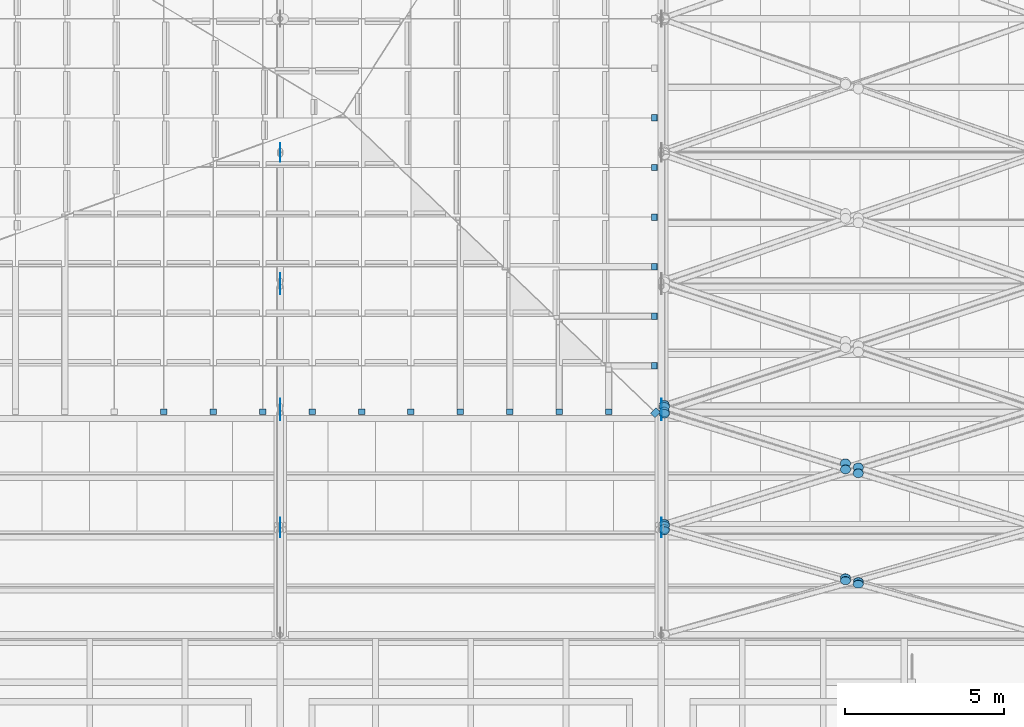
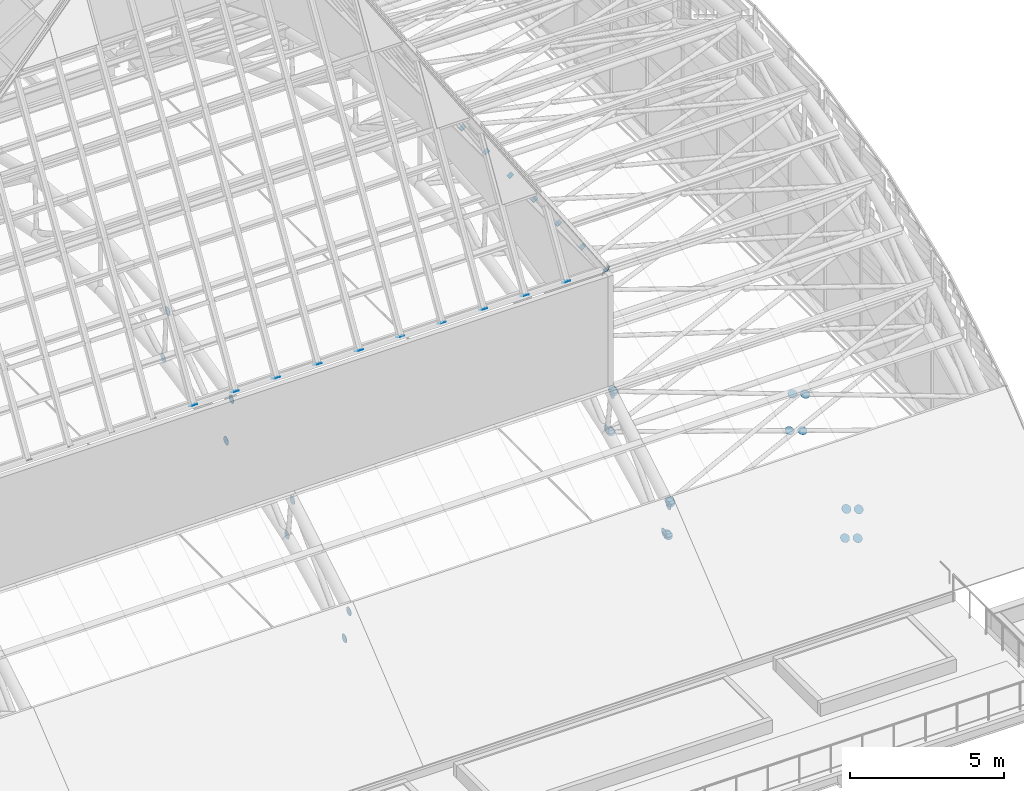
# One storey, part 97 of 110: 49 discrete accessories.
"""IFC4 building model written with IfcOpenShell, lengths in metres."""

from ifc_helpers import new_model, si_unit, direction, frame, origin, origin_2d, place, context, subcontext, project, spatial, rectangle, circle, extrude, material, layer, layer_set, type_object, element, save


model = new_model("IFC4")

# Units and contexts
model_context = context("Model", 3, precision=1e-05, world=origin(), true_north=direction((0.0, 1.0)))
body_context = subcontext(model_context, "Body", "Model", "MODEL_VIEW")
ifc_project = project(units=[si_unit("LENGTHUNIT", "METRE"), si_unit("AREAUNIT", "SQUARE_METRE"), si_unit("VOLUMEUNIT", "CUBIC_METRE"), si_unit("PLANEANGLEUNIT", "RADIAN"), si_unit("MASSUNIT", "GRAM", prefix="KILO")], contexts=[model_context])

# Site, building, storey
site_placement = place(None, origin())
site = spatial("IfcSite", under=ifc_project, at=site_placement, CompositionType="ELEMENT")
building_placement = place(site_placement, origin())
building = spatial("IfcBuilding", under=site, at=building_placement, Name="Windward Yard Aquatics Centre", CompositionType="ELEMENT")
storey_placement = place(building_placement, frame((0.0, 0.0, 22.60009765625)))
storey = spatial("IfcBuildingStorey", under=building, at=storey_placement, Name="L05", CompositionType="ELEMENT", Elevation=22.60009765625)

# Discrete accessories
ifc_material = material(Name="Steel S355", Category="steel")
ifc_layer_1 = layer(ifc_material, 0.010009765625)
ifc_layer_set_1 = layer_set([ifc_layer_1], Name="End cap plate 10 mm RHS203.2x203.2x9.5")
discrete_accessory_type_1 = type_object("IfcDiscreteAccessoryType", Name="End cap plate 10 mm RHS203.2x203.2x9.5", PredefinedType="USERDEFINED", material=ifc_layer_set_1)
for number, where, z_axis, x_axis, name in (
    (1, (124.117431640625, 48.623779296875, 10.8154296875), (0.0, 0.514495755428, 0.857492925713), (-1.0, 0.0, 0.0), "End cap"),
    (2, (131.788330078125, 54.75537109375, 10.813232421875), (-0.532171545218, 0.0, 0.846636549211), (0.0, -1.0, 0.0), "End cap"),
    (3, (131.788330078125, 50.07177734375, 10.813232421875), (-0.532171545218, 0.0, 0.846636549211), (0.0, -1.0, 0.0), "End cap"),
    (4, (128.787109375, 48.623779296875, 10.8154296875), (0.0, 0.514495755428, 0.857492925713), (-1.0, 0.0, 0.0), "End cap"),
    (5, (131.788330078125, 57.877685546875, 10.813232421875), (-0.532171545218, 0.0, 0.846636549211), (0.0, -1.0, 0.0), "End cap"),
    (6, (116.334716796875, 48.623779296875, 10.8154296875), (0.0, 0.514495755428, 0.857492925713), (-1.0, 0.0, 0.0), "End cap"),
    (7, (131.788330078125, 56.31640625, 10.813232421875), (-0.532171545218, 0.0, 0.846636549211), (0.0, -1.0, 0.0), "End cap"),
    (8, (117.891357421875, 48.623779296875, 10.8154296875), (0.0, 0.514495755428, 0.857492925713), (-1.0, 0.0, 0.0), "End cap"),
    (9, (125.673828125, 48.623779296875, 10.8154296875), (0.0, 0.514495755428, 0.857492925713), (-1.0, 0.0, 0.0), "End cap"),
    (10, (122.560791015625, 48.623779296875, 10.8154296875), (0.0, 0.514495755428, 0.857492925713), (-1.0, 0.0, 0.0), "End cap"),
    (11, (119.44775390625, 48.623779296875, 10.8154296875), (0.0, 0.514495755428, 0.857492925713), (-1.0, 0.0, 0.0), "End cap"),
    (12, (130.343505859375, 48.623779296875, 10.8154296875), (0.0, 0.514495755428, 0.857492925713), (-1.0, 0.0, 0.0), "End cap"),
    (13, (131.788330078125, 53.194091796875, 10.813232421875), (-0.532171545218, 0.0, 0.846636549211), (0.0, -1.0, 0.0), "End cap"),
    (14, (131.788330078125, 51.6328125, 10.813232421875), (-0.532171545218, 0.0, 0.846636549211), (0.0, -1.0, 0.0), "End cap"),
    (15, (127.23046875, 48.623779296875, 10.8154296875), (0.0, 0.514495755428, 0.857492925713), (-1.0, 0.0, 0.0), "End cap"),
    (16, (121.00439453125, 48.623779296875, 10.8154296875), (0.0, 0.514495755428, 0.857492925713), (-1.0, 0.0, 0.0), "End cap"),
):
    element("IfcDiscreteAccessory", number, at=place(storey_placement, frame(where, z_axis=z_axis, x_axis=x_axis)), inside=storey, type_object=discrete_accessory_type_1, Name=name, ObjectType="END CAP", PredefinedType="USERDEFINED", context=body_context, shape_type="SweptSolid", body=[
        extrude(rectangle(XDim=0.203125, YDim=0.203125, at=origin_2d()), origin(), (0.0, 0.0, 1.0), 0.010009765625),
    ])
ifc_layer_2 = layer(ifc_material, 0.010009765625)
ifc_layer_set_2 = layer_set([ifc_layer_2], Name="End cap plate 10 mm RHS254x254x15.9")
discrete_accessory_type_2 = type_object("IfcDiscreteAccessoryType", Name="End cap plate 10 mm RHS254x254x15.9", PredefinedType="USERDEFINED", material=ifc_layer_set_2)
discrete_accessory_1_placement = place(storey_placement, frame((131.821533203125, 48.590087890625, 10.785400390625), z_axis=(-0.468315665525, 0.443667472602, 0.764093980593), x_axis=(-0.698912468441, -0.715086235848, -0.013154343714)))
element("IfcDiscreteAccessory", 17, at=discrete_accessory_1_placement, inside=storey, type_object=discrete_accessory_type_2, Name="End cap", ObjectType="END CAP", PredefinedType="USERDEFINED", context=body_context, shape_type="SweptSolid", body=[
    extrude(rectangle(XDim=0.25390625, YDim=0.25390625, at=origin_2d()), origin(), (0.0, 0.0, 1.0), 0.010009765625),
])
ifc_layer_3 = layer(ifc_material, 0.011962890625)
ifc_layer_set_3 = layer_set([ifc_layer_3], Name="Gusset plate 320 mm disc 12 mm")
discrete_accessory_type_3 = type_object("IfcDiscreteAccessoryType", Name="Gusset plate 320 mm disc 12 mm", PredefinedType="USERDEFINED", material=ifc_layer_set_3)
for number, where, z_axis, x_axis, name in (
    (18, (119.993896484375, 44.841064453125, 3.64306640625), (1.0, 0.0, 0.0), (0.0, 1.0, 0.0), "Gusset plate"),
    (19, (119.993896484375, 45.134765625, 2.390869140625), (1.0, 0.0, 0.0), (0.0, 1.0, 0.0), "Gusset plate"),
    (20, (119.993896484375, 48.520263671875, 5.8291015625), (1.0, 0.0, 0.0), (0.0, 1.0, 0.0), "Gusset plate"),
    (21, (119.993896484375, 48.877685546875, 4.23291015625), (1.0, 0.0, 0.0), (0.0, 1.0, 0.0), "Gusset plate"),
    (22, (119.993896484375, 52.48779296875, 7.4306640625), (1.0, 0.0, 0.0), (0.0, 1.0, 0.0), "Gusset plate"),
    (23, (119.993896484375, 52.83056640625, 5.568603515625), (1.0, 0.0, 0.0), (0.0, 1.0, 0.0), "Gusset plate"),
    (24, (119.993896484375, 56.6513671875, 8.41015625), (1.0, 0.0, 0.0), (0.0, 1.0, 0.0), "Gusset plate"),
    (25, (119.993896484375, 56.92529296875, 6.374755859375), (1.0, 0.0, 0.0), (0.0, 1.0, 0.0), "Gusset plate"),
    (26, (131.993896484375, 44.841064453125, 3.64306640625), (1.0, 0.0, 0.0), (0.0, 1.0, 0.0), "Gusset plate"),
    (27, (131.993896484375, 45.134765625, 2.390869140625), (1.0, 0.0, 0.0), (0.0, 1.0, 0.0), "Gusset plate"),
    (28, (131.993896484375, 48.520263671875, 5.8291015625), (1.0, 0.0, 0.0), (0.0, 1.0, 0.0), "Gusset plate"),
    (29, (131.993896484375, 48.877685546875, 4.23291015625), (1.0, 0.0, 0.0), (0.0, 1.0, 0.0), "Gusset plate"),
):
    element("IfcDiscreteAccessory", number, at=place(storey_placement, frame(where, z_axis=z_axis, x_axis=x_axis)), inside=storey, type_object=discrete_accessory_type_3, Name=name, ObjectType="GUSSET PLATE", PredefinedType="USERDEFINED", context=body_context, shape_type="SweptSolid", body=[
        extrude(circle(Radius=0.159912109375, at=origin_2d()), origin(), (0.0, 0.0, 1.0), 0.01220703125),
    ])
for number, where, z_axis, x_axis, name in (
    (30, (132.10009765625, 44.907470703125, 3.7119140625), (0.0, 0.0, 1.0), (1.0, 0.0, 0.0), "Gusset plate"),
    (31, (132.10009765625, 48.59033203125, 5.89453125), (0.0, 0.0, 1.0), (1.0, 0.0, 0.0), "Gusset plate"),
):
    element("IfcDiscreteAccessory", number, at=place(storey_placement, frame(where, z_axis=z_axis, x_axis=x_axis)), inside=storey, type_object=discrete_accessory_type_3, Name=name, ObjectType="GUSSET PLATE", PredefinedType="USERDEFINED", context=body_context, shape_type="SweptSolid", body=[
        extrude(circle(Radius=0.159912109375, at=origin_2d()), origin(), (0.0, 0.0, 1.0), 0.011962890625),
    ])
discrete_accessory_2_placement = place(storey_placement, frame((132.09423828125, 44.877685546875, 3.701171875), z_axis=(0.0, 0.644135745783, -0.764911198117), x_axis=(-1.0, 0.0, 0.0)))
element("IfcDiscreteAccessory", 32, at=discrete_accessory_2_placement, inside=storey, type_object=discrete_accessory_type_3, Name="Gusset plate", ObjectType="GUSSET PLATE", PredefinedType="USERDEFINED", context=body_context, shape_type="SweptSolid", body=[
    extrude(circle(Radius=0.159912109375, at=origin_2d()), origin(), (0.0, 0.0, 1.0), 0.01220703125),
])
discrete_accessory_3_placement = place(storey_placement, frame((137.79931640625, 43.30517578125, 2.408935546875), z_axis=(0.0, 0.632126727472, -0.774865020772), x_axis=(-1.0, 0.0, 0.0)))
element("IfcDiscreteAccessory", 33, at=discrete_accessory_3_placement, inside=storey, type_object=discrete_accessory_type_3, Name="Gusset plate", ObjectType="GUSSET PLATE", PredefinedType="USERDEFINED", context=body_context, shape_type="SweptSolid", body=[
    extrude(circle(Radius=0.159912109375, at=origin_2d()), origin(), (0.0, 0.0, 1.0), 0.011962890625),
])
for number, where, z_axis, x_axis, name in (
    (34, (138.20068359375, 43.194580078125, 2.318115234375), (0.0, 0.644135745783, -0.764911198117), (-1.0, 0.0, 0.0), "Gusset plate"),
    (35, (132.09423828125, 44.933349609375, 3.740234375), (0.0, 0.502620457375, -0.864507186684), (-1.0, 0.0, 0.0), "Gusset plate"),
):
    element("IfcDiscreteAccessory", number, at=place(storey_placement, frame(where, z_axis=z_axis, x_axis=x_axis)), inside=storey, type_object=discrete_accessory_type_3, Name=name, ObjectType="GUSSET PLATE", PredefinedType="USERDEFINED", context=body_context, shape_type="SweptSolid", body=[
        extrude(circle(Radius=0.159912109375, at=origin_2d()), origin(), (0.0, 0.0, 1.0), 0.01220703125),
    ])
discrete_accessory_4_placement = place(storey_placement, frame((132.09423828125, 48.558349609375, 5.888427734375), z_axis=(0.0, 0.511483859768, -0.85929288441), x_axis=(-1.0, 0.0, 0.0)))
element("IfcDiscreteAccessory", 36, at=discrete_accessory_4_placement, inside=storey, type_object=discrete_accessory_type_3, Name="Gusset plate", ObjectType="GUSSET PLATE", PredefinedType="USERDEFINED", context=body_context, shape_type="SweptSolid", body=[
    extrude(circle(Radius=0.159912109375, at=origin_2d()), origin(), (0.0, 0.0, 1.0), 0.011962890625),
])
discrete_accessory_5_placement = place(storey_placement, frame((137.79931640625, 46.807373046875, 4.850830078125), z_axis=(0.0, 0.502620457375, -0.864507186684), x_axis=(-1.0, 0.0, 0.0)))
element("IfcDiscreteAccessory", 37, at=discrete_accessory_5_placement, inside=storey, type_object=discrete_accessory_type_3, Name="Gusset plate", ObjectType="GUSSET PLATE", PredefinedType="USERDEFINED", context=body_context, shape_type="SweptSolid", body=[
    extrude(circle(Radius=0.159912109375, at=origin_2d()), origin(), (0.0, 0.0, 1.0), 0.01220703125),
])
discrete_accessory_6_placement = place(storey_placement, frame((138.20068359375, 46.684326171875, 4.77783203125), z_axis=(0.0, 0.511483859768, -0.85929288441), x_axis=(-1.0, 0.0, 0.0)))
element("IfcDiscreteAccessory", 38, at=discrete_accessory_6_placement, inside=storey, type_object=discrete_accessory_type_3, Name="Gusset plate", ObjectType="GUSSET PLATE", PredefinedType="USERDEFINED", context=body_context, shape_type="SweptSolid", body=[
    extrude(circle(Radius=0.159912109375, at=origin_2d()), origin(), (0.0, 0.0, 1.0), 0.011962890625),
])
discrete_accessory_7_placement = place(storey_placement, frame((132.09423828125, 48.619384765625, 5.91845703125), z_axis=(0.0, 0.371390676354, -0.928476690885), x_axis=(-1.0, 0.0, 0.0)))
element("IfcDiscreteAccessory", 39, at=discrete_accessory_7_placement, inside=storey, type_object=discrete_accessory_type_3, Name="Gusset plate", ObjectType="GUSSET PLATE", PredefinedType="USERDEFINED", context=body_context, shape_type="SweptSolid", body=[
    extrude(circle(Radius=0.159912109375, at=origin_2d()), origin(), (0.0, 0.0, 1.0), 0.01171875),
])
discrete_accessory_8_placement = place(storey_placement, frame((132.10009765625, 45.064697265625, 2.313720703125), z_axis=(0.0, 0.0, 1.0), x_axis=(1.0, 0.0, 0.0)))
element("IfcDiscreteAccessory", 40, at=discrete_accessory_8_placement, inside=storey, type_object=discrete_accessory_type_3, Name="Gusset plate", ObjectType="GUSSET PLATE", PredefinedType="USERDEFINED", context=body_context, shape_type="SweptSolid", body=[
    extrude(circle(Radius=0.159912109375, at=origin_2d()), origin(), (0.0, 0.0, 1.0), 0.011962890625),
])
for number, where, z_axis, x_axis, name in (
    (41, (132.10009765625, 48.802734375, 4.160400390625), (0.0, 0.0, 1.0), (1.0, 0.0, 0.0), "Gusset plate"),
    (42, (132.094482421875, 45.033935546875, 2.306396484375), (0.0, 0.563961646158, -0.825800981874), (-1.0, 0.0, 0.0), "Gusset plate"),
    (43, (137.796142578125, 43.3876953125, 1.2041015625), (0.0, 0.563961646158, -0.825800981874), (-1.0, 0.0, 0.0), "Gusset plate"),
):
    element("IfcDiscreteAccessory", number, at=place(storey_placement, frame(where, z_axis=z_axis, x_axis=x_axis)), inside=storey, type_object=discrete_accessory_type_3, Name=name, ObjectType="GUSSET PLATE", PredefinedType="USERDEFINED", context=body_context, shape_type="SweptSolid", body=[
        extrude(circle(Radius=0.159912109375, at=origin_2d()), origin(), (0.0, 0.0, 1.0), 0.01220703125),
    ])
for number, where, z_axis, x_axis, name in (
    (44, (138.203857421875, 43.27001953125, 1.125244140625), (0.0, 0.573462344363, -0.819231920519), (-1.0, 0.0, 0.0), "Gusset plate"),
    (45, (132.094482421875, 45.09130859375, 2.339599609375), (0.0, 0.4472135955, -0.894427191), (-1.0, 0.0, 0.0), "Gusset plate"),
):
    element("IfcDiscreteAccessory", number, at=place(storey_placement, frame(where, z_axis=z_axis, x_axis=x_axis)), inside=storey, type_object=discrete_accessory_type_3, Name=name, ObjectType="GUSSET PLATE", PredefinedType="USERDEFINED", context=body_context, shape_type="SweptSolid", body=[
        extrude(circle(Radius=0.159912109375, at=origin_2d()), origin(), (0.0, 0.0, 1.0), 0.011962890625),
    ])
discrete_accessory_9_placement = place(storey_placement, frame((132.094482421875, 48.770751953125, 4.157470703125), z_axis=(0.0, 0.439210132005, -0.898384360919), x_axis=(-1.0, 0.0, 0.0)))
element("IfcDiscreteAccessory", 46, at=discrete_accessory_9_placement, inside=storey, type_object=discrete_accessory_type_3, Name="Gusset plate", ObjectType="GUSSET PLATE", PredefinedType="USERDEFINED", context=body_context, shape_type="SweptSolid", body=[
    extrude(circle(Radius=0.159912109375, at=origin_2d()), origin(), (0.0, 0.0, 1.0), 0.01220703125),
])
for number, where, z_axis, x_axis, name in (
    (47, (137.796142578125, 46.99462890625, 3.27978515625), (0.0, 0.430729586215, -0.902481037784), (-1.0, 0.0, 0.0), "Gusset plate"),
    (48, (138.203857421875, 46.86767578125, 3.217041015625), (0.0, 0.430729586215, -0.902481037784), (-1.0, 0.0, 0.0), "Gusset plate"),
    (49, (132.094482421875, 48.83203125, 4.182861328125), (0.0, 0.304040173793, -0.952659211219), (-1.0, 0.0, 0.0), "Gusset plate"),
):
    element("IfcDiscreteAccessory", number, at=place(storey_placement, frame(where, z_axis=z_axis, x_axis=x_axis)), inside=storey, type_object=discrete_accessory_type_3, Name=name, ObjectType="GUSSET PLATE", PredefinedType="USERDEFINED", context=body_context, shape_type="SweptSolid", body=[
        extrude(circle(Radius=0.159912109375, at=origin_2d()), origin(), (0.0, 0.0, 1.0), 0.011962890625),
    ])

save(model, "model.ifc")
